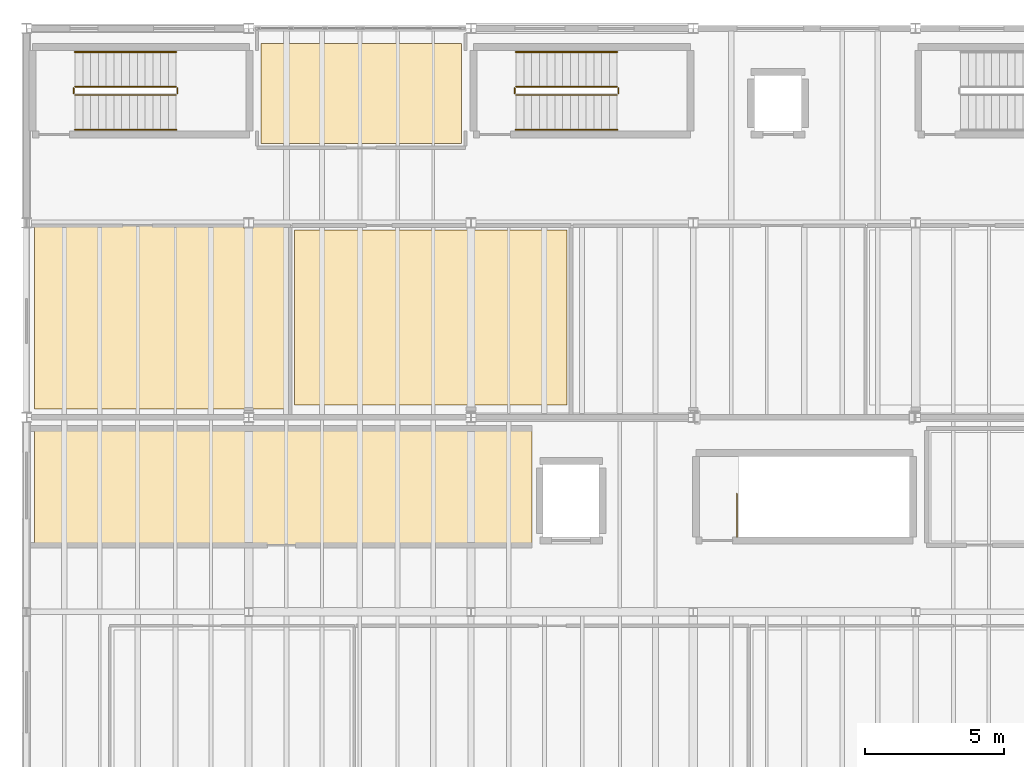
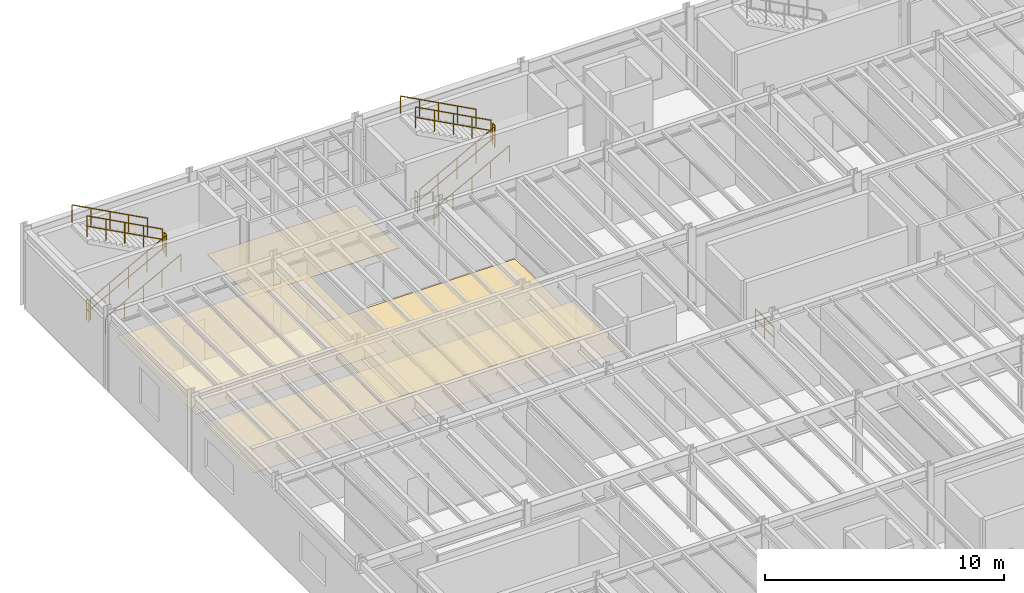
# One storey, part 73 of 78: 13 railings, 4 coverings.
"""IFC4 building model written with IfcOpenShell, lengths in metres."""

from ifc_helpers import new_model, si_unit, direction, frame, origin, origin_2d, place, context, subcontext, project, spatial, polyline, circle, outline, extrude, material, layer, layer_set, type_object, element, save


model = new_model("IFC4")

# Units and contexts
model_context = context("Model", 3, precision=1e-05, world=origin(), true_north=direction((0.0, 1.0)))
body_context = subcontext(model_context, "Body", "Model", "MODEL_VIEW")
ifc_project = project(units=[si_unit("LENGTHUNIT", "METRE"), si_unit("AREAUNIT", "SQUARE_METRE"), si_unit("VOLUMEUNIT", "CUBIC_METRE"), si_unit("PLANEANGLEUNIT", "RADIAN"), si_unit("MASSUNIT", "GRAM", prefix="KILO"), si_unit("THERMODYNAMICTEMPERATUREUNIT", "KELVIN"), si_unit("POWERUNIT", "WATT")], contexts=[model_context])

# Site, building, storey
site_placement = place(None, origin())
site = spatial("IfcSite", under=ifc_project, at=site_placement, CompositionType="ELEMENT")
building_placement = place(site_placement, origin())
building = spatial("IfcBuilding", under=site, at=building_placement, Name="Zhenchuan Central Fire Station", CompositionType="ELEMENT")
storey_placement = place(building_placement, frame((0.0, 0.0, 5.85009765625)))
storey = spatial("IfcBuildingStorey", under=building, at=storey_placement, Name="L02", CompositionType="ELEMENT", Elevation=5.85009765625)

# Coverings
ifc_material_1 = material(Name="Gypsum plasterboard acoustic ceiling", Category="gypsum")
ifc_layer_1 = layer(ifc_material_1, 0.01806640625, Name="Gypsum plasterboard acoustic ceiling", Category="gypsum")
ifc_layer_set_1 = layer_set([ifc_layer_1], Name="Gypsum plasterboard acoustic ceiling")
covering_type_1 = type_object("IfcCoveringType", Name="COV-CEIL-GYP", PredefinedType="CEILING", material=ifc_layer_set_1)
covering_1_placement = place(storey_placement, frame((0.0, 0.0, 2.64990234375)))
element("IfcCovering", 1, at=covering_1_placement, inside=storey, type_object=covering_type_1, Name="BA Telemetry Control Room Acoustic Ceiling", PredefinedType="CEILING", context=body_context, shape_type="SweptSolid", body=[
    extrude(outline(polyline([(18.199951171875, 37.89990234375), (18.199951171875, 42.10009765625), (0.300048828125, 42.10009765625), (0.300048828125, 37.89990234375), (18.199951171875, 37.89990234375)])), origin(), (0.0, 0.0, 1.0), 0.01806640625),
])
covering_2_placement = place(storey_placement, frame((0.0, 0.0, 2.64990234375)))
element("IfcCovering", 2, at=covering_2_placement, inside=storey, type_object=covering_type_1, Name="Crew Dormitory 01 Acoustic Ceiling", PredefinedType="CEILING", context=body_context, shape_type="SweptSolid", body=[
    extrude(outline(polyline([(9.5, 49.39990234375), (9.5, 42.800048828125), (0.300048828125, 42.800048828125), (0.300048828125, 49.39990234375), (7.820068359375, 49.39990234375), (7.820068359375, 49.320068359375), (8.179931640625, 49.320068359375), (8.179931640625, 49.39990234375), (9.5, 49.39990234375)])), origin(), (0.0, 0.0, 1.0), 0.01806640625),
])
ifc_material_2 = material(Name="Heavy-duty slip-resistant ceramic tile flooring")
ifc_layer_2 = layer(ifc_material_2, 0.014892578125, Name="Heavy-duty slip-resistant ceramic tile flooring")
ifc_layer_set_2 = layer_set([ifc_layer_2], Name="Heavy-duty slip-resistant ceramic tile flooring")
covering_type_2 = type_object("IfcCoveringType", Name="COV-FLR-RES", PredefinedType="FLOORING", material=ifc_layer_set_2)
covering_3_placement = place(storey_placement, origin())
element("IfcCovering", 3, at=covering_3_placement, inside=storey, type_object=covering_type_2, Name="Crew Shower and Washroom West Ceramic Tile Flooring", PredefinedType="FLOORING", context=body_context, shape_type="SweptSolid", body=[
    extrude(outline(polyline([(9.64990234375, 42.949951171875), (19.449951171875, 42.949951171875), (19.449951171875, 49.25), (9.64990234375, 49.25), (9.64990234375, 42.949951171875)])), origin(), (0.0, 0.0, 1.0), 0.014892578125),
])
covering_4_placement = place(storey_placement, origin())
element("IfcCovering", 4, at=covering_4_placement, inside=storey, type_object=covering_type_2, Name="Crew Dormitory 02 Ceramic Tile Flooring", PredefinedType="FLOORING", context=body_context, shape_type="SweptSolid", body=[
    extrude(outline(polyline([(8.449951171875, 52.35009765625), (15.64990234375, 52.35009765625), (15.64990234375, 55.949951171875), (8.449951171875, 55.949951171875), (8.449951171875, 52.35009765625)])), origin(), (0.0, 0.0, 1.0), 0.014892578125),
])

# Railings
ifc_material_3 = material(Name="Galvanised powder-coated steel", Category="steel")
railing_type_1 = type_object("IfcRailingType", Name="RL-ST-GRD", PredefinedType="GUARDRAIL", material=ifc_material_3)
railing_1_placement = place(storey_placement, frame((25.570068359375, 38.199951171875, 0.0)))
element("IfcRailing", 5, at=railing_1_placement, inside=storey, type_object=railing_type_1, Name="L02 ST-04 top well guard 1", PredefinedType="GUARDRAIL", context=body_context, shape_type="SweptSolid", body=[
    extrude(circle(Radius=0.02392578125, at=origin_2d()), frame((0.0, 0.0, 1.076171875), z_axis=(0.0, 1.0, 0.0), x_axis=(-1.0, 0.0, 0.0)), (0.0, 0.0, 1.0), 1.550048828125),
    extrude(circle(Radius=0.02392578125, at=origin_2d()), frame((0.0, 0.0, 0.550048828125), z_axis=(0.0, 1.0, 0.0), x_axis=(-1.0, 0.0, 0.0)), (0.0, 0.0, 1.0), 1.550048828125),
    extrude(circle(Radius=0.02099609375, at=origin_2d()), origin(), (0.0, 0.0, 1.0), 1.052001953125),
    extrude(circle(Radius=0.02099609375, at=origin_2d()), frame((0.0, 0.77490234375, 0.0)), (0.0, 0.0, 1.0), 1.052001953125),
    extrude(circle(Radius=0.02099609375, at=origin_2d()), frame((0.0, 1.550048828125, 0.0)), (0.0, 0.0, 1.0), 1.052001953125),
])
railing_2_placement = place(storey_placement, frame((1.75, 54.10009765625, 0.14990234375)))
element("IfcRailing", 6, at=railing_2_placement, inside=storey, type_object=railing_type_1, Name="L02 ST-05 stair guard 1", PredefinedType="GUARDRAIL", context=body_context, shape_type="SweptSolid", body=[
    extrude(circle(Radius=0.02392578125, at=origin_2d()), frame((0.0, 0.0, 1.076171875), z_axis=(0.881479091078, 0.0, 0.472223053219), x_axis=(0.0, 1.0, 0.0)), (0.0, 0.0, 1.0), 4.12939453125),
    extrude(circle(Radius=0.02392578125, at=origin_2d()), frame((0.0, 0.0, 0.550048828125), z_axis=(0.881479091078, 0.0, 0.472223053219), x_axis=(0.0, 1.0, 0.0)), (0.0, 0.0, 1.0), 4.12939453125),
    extrude(circle(Radius=0.02099609375, at=origin_2d()), origin(), (0.0, 0.0, 1.0), 1.052001953125),
    extrude(circle(Radius=0.02099609375, at=origin_2d()), frame((0.909912109375, 0.0, 0.487548828125)), (0.0, 0.0, 1.0), 1.052001953125),
    extrude(circle(Radius=0.02099609375, at=origin_2d()), frame((1.81982421875, 0.0, 0.97509765625)), (0.0, 0.0, 1.0), 1.052001953125),
    extrude(circle(Radius=0.02099609375, at=origin_2d()), frame((2.72998046875, 0.0, 1.46240234375)), (0.0, 0.0, 1.0), 1.052001953125),
    extrude(circle(Radius=0.02099609375, at=origin_2d()), frame((3.639892578125, 0.0, 1.949951171875)), (0.0, 0.0, 1.0), 1.052001953125),
])
railing_3_placement = place(storey_placement, frame((5.43994140625, 54.14990234375, 2.099853515625)))
element("IfcRailing", 7, at=railing_3_placement, inside=storey, type_object=railing_type_1, Name="L02 ST-05 stair guard 2", PredefinedType="GUARDRAIL", context=body_context, shape_type="SweptSolid", body=[
    extrude(circle(Radius=0.02392578125, at=origin_2d()), frame((0.0, 0.0, 1.076171875), z_axis=(0.0, 1.0, 0.0), x_axis=(-1.0, 0.0, 0.0)), (0.0, 0.0, 1.0), 0.2001953125),
    extrude(circle(Radius=0.02392578125, at=origin_2d()), frame((0.0, 0.0, 0.550048828125), z_axis=(0.0, 1.0, 0.0), x_axis=(-1.0, 0.0, 0.0)), (0.0, 0.0, 1.0), 0.2001953125),
    extrude(circle(Radius=0.02099609375, at=origin_2d()), origin(), (0.0, 0.0, 1.0), 1.052001953125),
    extrude(circle(Radius=0.02099609375, at=origin_2d()), frame((0.0, 0.2001953125, 0.0)), (0.0, 0.0, 1.0), 1.052001953125),
])
railing_4_placement = place(storey_placement, frame((5.389892578125, 54.39990234375, 2.25)))
element("IfcRailing", 8, at=railing_4_placement, inside=storey, type_object=railing_type_1, Name="L02 ST-05 stair guard 3", PredefinedType="GUARDRAIL", context=body_context, shape_type="SweptSolid", body=[
    extrude(circle(Radius=0.02392578125, at=origin_2d()), frame((0.0, 0.0, 1.076171875), z_axis=(-0.881479091078, 0.0, 0.472223053219), x_axis=(0.0, -1.0, 0.0)), (0.0, 0.0, 1.0), 4.12939453125),
    extrude(circle(Radius=0.02392578125, at=origin_2d()), frame((0.0, 0.0, 0.550048828125), z_axis=(-0.881479091078, 0.0, 0.472223053219), x_axis=(0.0, -1.0, 0.0)), (0.0, 0.0, 1.0), 4.12939453125),
    extrude(circle(Radius=0.02099609375, at=origin_2d()), origin(), (0.0, 0.0, 1.0), 1.052001953125),
    extrude(circle(Radius=0.02099609375, at=origin_2d()), frame((-0.909912109375, 0.0, 0.487548828125)), (0.0, 0.0, 1.0), 1.052001953125),
    extrude(circle(Radius=0.02099609375, at=origin_2d()), frame((-1.81982421875, 0.0, 0.97509765625)), (0.0, 0.0, 1.0), 1.052001953125),
    extrude(circle(Radius=0.02099609375, at=origin_2d()), frame((-2.72998046875, 0.0, 1.46240234375)), (0.0, 0.0, 1.0), 1.052001953125),
    extrude(circle(Radius=0.02099609375, at=origin_2d()), frame((-3.639892578125, 0.0, 1.949951171875)), (0.0, 0.0, 1.0), 1.052001953125),
])
railing_5_placement = place(storey_placement, frame((1.699951171875, 54.14990234375, 0.0)))
element("IfcRailing", 9, at=railing_5_placement, inside=storey, type_object=railing_type_1, Name="L02 ST-05 stair guard 4", PredefinedType="GUARDRAIL", context=body_context, shape_type="SweptSolid", body=[
    extrude(circle(Radius=0.02392578125, at=origin_2d()), frame((0.0, 0.0, 1.076171875), z_axis=(0.0, 1.0, 0.0), x_axis=(-1.0, 0.0, 0.0)), (0.0, 0.0, 1.0), 0.2001953125),
    extrude(circle(Radius=0.02392578125, at=origin_2d()), frame((0.0, 0.0, 0.550048828125), z_axis=(0.0, 1.0, 0.0), x_axis=(-1.0, 0.0, 0.0)), (0.0, 0.0, 1.0), 0.2001953125),
    extrude(circle(Radius=0.02099609375, at=origin_2d()), origin(), (0.0, 0.0, 1.0), 1.052001953125),
    extrude(circle(Radius=0.02099609375, at=origin_2d()), frame((0.0, 0.2001953125, 0.0)), (0.0, 0.0, 1.0), 1.052001953125),
])
railing_6_placement = place(storey_placement, frame((17.6201171875, 54.10009765625, 0.14990234375)))
element("IfcRailing", 10, at=railing_6_placement, inside=storey, type_object=railing_type_1, Name="L02 ST-06 stair guard 1", PredefinedType="GUARDRAIL", context=body_context, shape_type="SweptSolid", body=[
    extrude(circle(Radius=0.02392578125, at=origin_2d()), frame((0.0, 0.0, 1.076171875), z_axis=(0.881479091078, 0.0, 0.472223053219), x_axis=(0.0, 1.0, 0.0)), (0.0, 0.0, 1.0), 4.12939453125),
    extrude(circle(Radius=0.02392578125, at=origin_2d()), frame((0.0, 0.0, 0.550048828125), z_axis=(0.881479091078, 0.0, 0.472223053219), x_axis=(0.0, 1.0, 0.0)), (0.0, 0.0, 1.0), 4.12939453125),
    extrude(circle(Radius=0.02099609375, at=origin_2d()), origin(), (0.0, 0.0, 1.0), 1.052001953125),
    extrude(circle(Radius=0.02099609375, at=origin_2d()), frame((0.909912109375, 0.0, 0.487548828125)), (0.0, 0.0, 1.0), 1.052001953125),
    extrude(circle(Radius=0.02099609375, at=origin_2d()), frame((1.81982421875, 0.0, 0.97509765625)), (0.0, 0.0, 1.0), 1.052001953125),
    extrude(circle(Radius=0.02099609375, at=origin_2d()), frame((2.72998046875, 0.0, 1.46240234375)), (0.0, 0.0, 1.0), 1.052001953125),
    extrude(circle(Radius=0.02099609375, at=origin_2d()), frame((3.639892578125, 0.0, 1.949951171875)), (0.0, 0.0, 1.0), 1.052001953125),
])
railing_7_placement = place(storey_placement, frame((21.31005859375, 54.14990234375, 2.099853515625)))
element("IfcRailing", 11, at=railing_7_placement, inside=storey, type_object=railing_type_1, Name="L02 ST-06 stair guard 2", PredefinedType="GUARDRAIL", context=body_context, shape_type="SweptSolid", body=[
    extrude(circle(Radius=0.02392578125, at=origin_2d()), frame((0.0, 0.0, 1.076171875), z_axis=(0.0, 1.0, 0.0), x_axis=(-1.0, 0.0, 0.0)), (0.0, 0.0, 1.0), 0.2001953125),
    extrude(circle(Radius=0.02392578125, at=origin_2d()), frame((0.0, 0.0, 0.550048828125), z_axis=(0.0, 1.0, 0.0), x_axis=(-1.0, 0.0, 0.0)), (0.0, 0.0, 1.0), 0.2001953125),
    extrude(circle(Radius=0.02099609375, at=origin_2d()), origin(), (0.0, 0.0, 1.0), 1.052001953125),
    extrude(circle(Radius=0.02099609375, at=origin_2d()), frame((0.0, 0.2001953125, 0.0)), (0.0, 0.0, 1.0), 1.052001953125),
])
railing_8_placement = place(storey_placement, frame((21.260009765625, 54.39990234375, 2.25)))
element("IfcRailing", 12, at=railing_8_placement, inside=storey, type_object=railing_type_1, Name="L02 ST-06 stair guard 3", PredefinedType="GUARDRAIL", context=body_context, shape_type="SweptSolid", body=[
    extrude(circle(Radius=0.02392578125, at=origin_2d()), frame((0.0, 0.0, 1.076171875), z_axis=(-0.881479091078, 0.0, 0.472223053219), x_axis=(0.0, -1.0, 0.0)), (0.0, 0.0, 1.0), 4.12939453125),
    extrude(circle(Radius=0.02392578125, at=origin_2d()), frame((0.0, 0.0, 0.550048828125), z_axis=(-0.881479091078, 0.0, 0.472223053219), x_axis=(0.0, -1.0, 0.0)), (0.0, 0.0, 1.0), 4.12939453125),
    extrude(circle(Radius=0.02099609375, at=origin_2d()), origin(), (0.0, 0.0, 1.0), 1.052001953125),
    extrude(circle(Radius=0.02099609375, at=origin_2d()), frame((-0.909912109375, 0.0, 0.487548828125)), (0.0, 0.0, 1.0), 1.052001953125),
    extrude(circle(Radius=0.02099609375, at=origin_2d()), frame((-1.81982421875, 0.0, 0.97509765625)), (0.0, 0.0, 1.0), 1.052001953125),
    extrude(circle(Radius=0.02099609375, at=origin_2d()), frame((-2.72998046875, 0.0, 1.46240234375)), (0.0, 0.0, 1.0), 1.052001953125),
    extrude(circle(Radius=0.02099609375, at=origin_2d()), frame((-3.639892578125, 0.0, 1.949951171875)), (0.0, 0.0, 1.0), 1.052001953125),
])
railing_9_placement = place(storey_placement, frame((17.570068359375, 54.14990234375, 0.0)))
element("IfcRailing", 13, at=railing_9_placement, inside=storey, type_object=railing_type_1, Name="L02 ST-06 stair guard 4", PredefinedType="GUARDRAIL", context=body_context, shape_type="SweptSolid", body=[
    extrude(circle(Radius=0.02392578125, at=origin_2d()), frame((0.0, 0.0, 1.076171875), z_axis=(0.0, 1.0, 0.0), x_axis=(-1.0, 0.0, 0.0)), (0.0, 0.0, 1.0), 0.2001953125),
    extrude(circle(Radius=0.02392578125, at=origin_2d()), frame((0.0, 0.0, 0.550048828125), z_axis=(0.0, 1.0, 0.0), x_axis=(-1.0, 0.0, 0.0)), (0.0, 0.0, 1.0), 0.2001953125),
    extrude(circle(Radius=0.02099609375, at=origin_2d()), origin(), (0.0, 0.0, 1.0), 1.052001953125),
    extrude(circle(Radius=0.02099609375, at=origin_2d()), frame((0.0, 0.2001953125, 0.0)), (0.0, 0.0, 1.0), 1.052001953125),
])
ifc_material_4 = material(Name="Brushed stainless steel handrail", Category="steel")
railing_type_2 = type_object("IfcRailingType", Name="RL-ST-HND", PredefinedType="HANDRAIL", material=ifc_material_4)
railing_10_placement = place(storey_placement, frame((1.75, 52.85009765625, 0.14990234375)))
element("IfcRailing", 14, at=railing_10_placement, inside=storey, type_object=railing_type_2, Name="L02 ST-05 stair handrail 1", PredefinedType="HANDRAIL", context=body_context, shape_type="SweptSolid", body=[
    extrude(circle(Radius=0.02392578125, at=origin_2d()), frame((0.0, 0.0, 0.8759765625), z_axis=(0.881479091078, 0.0, 0.472223053219), x_axis=(0.0, 1.0, 0.0)), (0.0, 0.0, 1.0), 4.12939453125),
    extrude(circle(Radius=0.02099609375, at=origin_2d()), origin(), (0.0, 0.0, 1.0), 0.851806640625),
    extrude(circle(Radius=0.02099609375, at=origin_2d()), frame((0.909912109375, 0.0, 0.487548828125)), (0.0, 0.0, 1.0), 0.851806640625),
    extrude(circle(Radius=0.02099609375, at=origin_2d()), frame((1.81982421875, 0.0, 0.97509765625)), (0.0, 0.0, 1.0), 0.851806640625),
    extrude(circle(Radius=0.02099609375, at=origin_2d()), frame((2.72998046875, 0.0, 1.46240234375)), (0.0, 0.0, 1.0), 0.851806640625),
    extrude(circle(Radius=0.02099609375, at=origin_2d()), frame((3.639892578125, 0.0, 1.949951171875)), (0.0, 0.0, 1.0), 0.851806640625),
])
railing_11_placement = place(storey_placement, frame((5.389892578125, 55.64990234375, 2.25)))
element("IfcRailing", 15, at=railing_11_placement, inside=storey, type_object=railing_type_2, Name="L02 ST-05 stair handrail 2", PredefinedType="HANDRAIL", context=body_context, shape_type="SweptSolid", body=[
    extrude(circle(Radius=0.02392578125, at=origin_2d()), frame((0.0, 0.0, 0.8759765625), z_axis=(-0.881479091078, 0.0, 0.472223053219), x_axis=(0.0, -1.0, 0.0)), (0.0, 0.0, 1.0), 4.12939453125),
    extrude(circle(Radius=0.02099609375, at=origin_2d()), origin(), (0.0, 0.0, 1.0), 0.851806640625),
    extrude(circle(Radius=0.02099609375, at=origin_2d()), frame((-0.909912109375, 0.0, 0.487548828125)), (0.0, 0.0, 1.0), 0.851806640625),
    extrude(circle(Radius=0.02099609375, at=origin_2d()), frame((-1.81982421875, 0.0, 0.97509765625)), (0.0, 0.0, 1.0), 0.851806640625),
    extrude(circle(Radius=0.02099609375, at=origin_2d()), frame((-2.72998046875, 0.0, 1.46240234375)), (0.0, 0.0, 1.0), 0.851806640625),
    extrude(circle(Radius=0.02099609375, at=origin_2d()), frame((-3.639892578125, 0.0, 1.949951171875)), (0.0, 0.0, 1.0), 0.851806640625),
])
railing_12_placement = place(storey_placement, frame((17.6201171875, 52.85009765625, 0.14990234375)))
element("IfcRailing", 16, at=railing_12_placement, inside=storey, type_object=railing_type_2, Name="L02 ST-06 stair handrail 1", PredefinedType="HANDRAIL", context=body_context, shape_type="SweptSolid", body=[
    extrude(circle(Radius=0.02392578125, at=origin_2d()), frame((0.0, 0.0, 0.8759765625), z_axis=(0.881479091078, 0.0, 0.472223053219), x_axis=(0.0, 1.0, 0.0)), (0.0, 0.0, 1.0), 4.12939453125),
    extrude(circle(Radius=0.02099609375, at=origin_2d()), origin(), (0.0, 0.0, 1.0), 0.851806640625),
    extrude(circle(Radius=0.02099609375, at=origin_2d()), frame((0.909912109375, 0.0, 0.487548828125)), (0.0, 0.0, 1.0), 0.851806640625),
    extrude(circle(Radius=0.02099609375, at=origin_2d()), frame((1.81982421875, 0.0, 0.97509765625)), (0.0, 0.0, 1.0), 0.851806640625),
    extrude(circle(Radius=0.02099609375, at=origin_2d()), frame((2.72998046875, 0.0, 1.46240234375)), (0.0, 0.0, 1.0), 0.851806640625),
    extrude(circle(Radius=0.02099609375, at=origin_2d()), frame((3.639892578125, 0.0, 1.949951171875)), (0.0, 0.0, 1.0), 0.851806640625),
])
railing_13_placement = place(storey_placement, frame((21.260009765625, 55.64990234375, 2.25)))
element("IfcRailing", 17, at=railing_13_placement, inside=storey, type_object=railing_type_2, Name="L02 ST-06 stair handrail 2", PredefinedType="HANDRAIL", context=body_context, shape_type="SweptSolid", body=[
    extrude(circle(Radius=0.02392578125, at=origin_2d()), frame((0.0, 0.0, 0.8759765625), z_axis=(-0.881479091078, 0.0, 0.472223053219), x_axis=(0.0, -1.0, 0.0)), (0.0, 0.0, 1.0), 4.12939453125),
    extrude(circle(Radius=0.02099609375, at=origin_2d()), origin(), (0.0, 0.0, 1.0), 0.851806640625),
    extrude(circle(Radius=0.02099609375, at=origin_2d()), frame((-0.909912109375, 0.0, 0.487548828125)), (0.0, 0.0, 1.0), 0.851806640625),
    extrude(circle(Radius=0.02099609375, at=origin_2d()), frame((-1.81982421875, 0.0, 0.97509765625)), (0.0, 0.0, 1.0), 0.851806640625),
    extrude(circle(Radius=0.02099609375, at=origin_2d()), frame((-2.72998046875, 0.0, 1.46240234375)), (0.0, 0.0, 1.0), 0.851806640625),
    extrude(circle(Radius=0.02099609375, at=origin_2d()), frame((-3.639892578125, 0.0, 1.949951171875)), (0.0, 0.0, 1.0), 0.851806640625),
])

save(model, "model.ifc")
